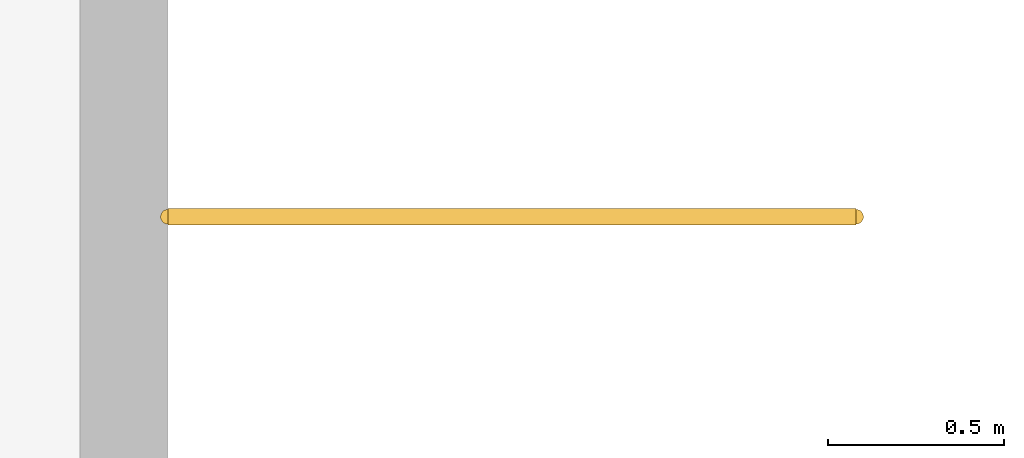
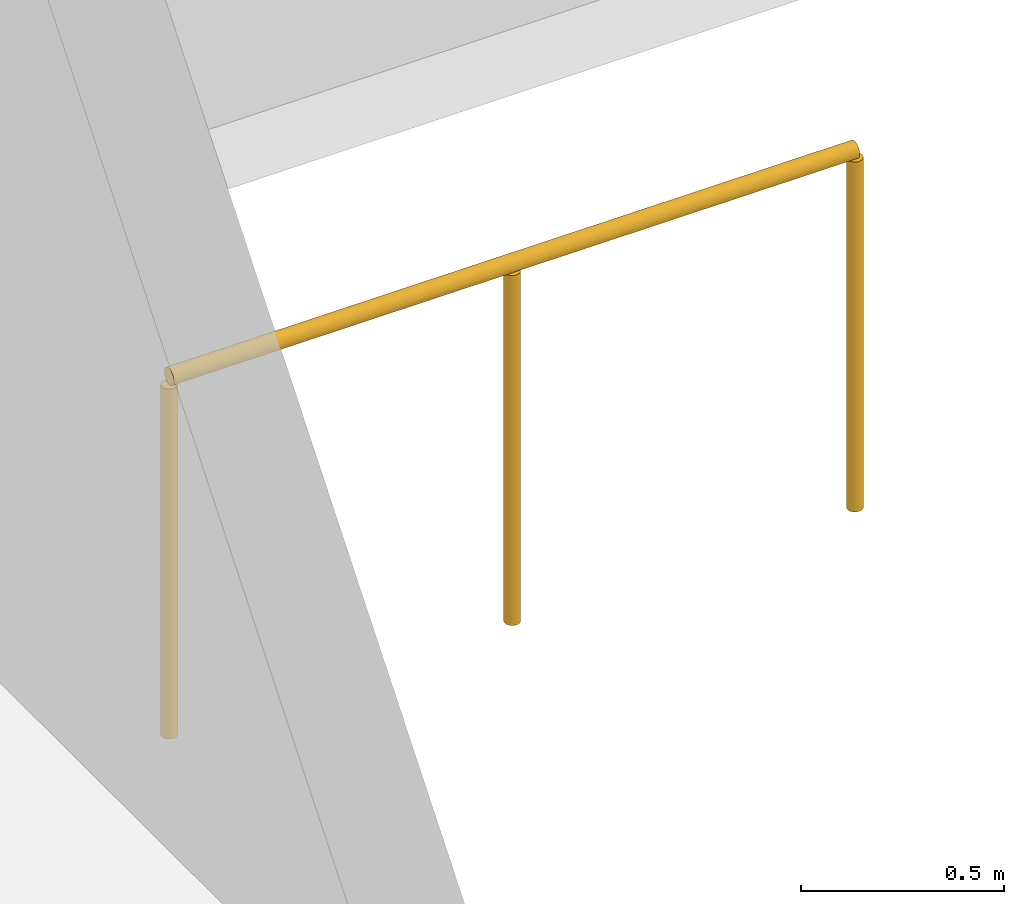
# One storey, part 18 of 18: 1 railing.
"""IFC4 building model written with IfcOpenShell, lengths in metres."""

import ifcopenshell
import ifcopenshell.guid

model = None  # the IFC model being written
_history = None  # IfcOwnerHistory: only IFC2X3 demands one
_inside = {}  # id of a spatial element -> (the spatial element, [elements in it])
_under = {}  # id of a project, library or spatial element -> (it, [spatial elements below it])
_declared = {}  # id of a project -> (the project, [libraries it declares])
_typed = {}  # id of a type object -> (the type object, [elements of that type])
_made_of = {}  # id of a material, layer set ... -> (it, [elements and type objects made of it])


def new_model(schema):
    """Start an empty IFC model of exactly this schema.

    Asked for "IFC4X3", IfcOpenShell would pick the latest addendum, in which some entities
    have other attributes; the version numbers below select the first issue.
    IFC2X3 requires an IfcOwnerHistory on every rooted entity: one is made here for all.
    """
    global model, _history
    if schema == "IFC4X3":
        model = ifcopenshell.file(schema_version=(4, 3, 0, 0))
    else:
        model = ifcopenshell.file(schema=schema)
    _inside.clear()
    _under.clear()
    _declared.clear()
    _typed.clear()
    _made_of.clear()
    _history = None
    if model.schema == "IFC2X3":
        org = make("IfcOrganization", Name="unknown")
        user = make(
            "IfcPersonAndOrganization",
            ThePerson=make("IfcPerson", FamilyName="unknown"),
            TheOrganization=org,
        )
        app = make(
            "IfcApplication",
            ApplicationDeveloper=org,
            Version="unknown",
            ApplicationFullName="unknown",
            ApplicationIdentifier="unknown",
        )
        _history = make(
            "IfcOwnerHistory",
            OwningUser=user,
            OwningApplication=app,
            ChangeAction="ADDED",
            CreationDate=0,
        )
    return model


def make(cls, **values):
    """One entity of the class cls with the attributes given. An attribute that is None is left unset."""
    return model.create_entity(
        cls, **{name: value for name, value in values.items() if value is not None}
    )


def rooted(cls, **values):
    """An entity with a GlobalId (a new one), such as an element, a storey or a relation."""
    return make(cls, GlobalId=ifcopenshell.guid.new(), OwnerHistory=_history, **values)


def si_unit(unit_type, name, prefix=None):
    """IfcSIUnit, for example si_unit("LENGTHUNIT", "METRE", prefix="MILLI")."""
    return make("IfcSIUnit", UnitType=unit_type, Prefix=prefix, Name=name)


def assignment(units):
    """IfcUnitAssignment: the units of a project."""
    return None if units is None else make("IfcUnitAssignment", Units=units)


def point(xyz):
    """IfcCartesianPoint."""
    return None if xyz is None else make("IfcCartesianPoint", Coordinates=xyz)


def direction(xyz):
    """IfcDirection."""
    return None if xyz is None else make("IfcDirection", DirectionRatios=xyz)


def frame(location, z_axis=None, x_axis=None):
    """IfcAxis2Placement3D, a coordinate frame: its origin and axes. An axis left out is left unset."""
    return make(
        "IfcAxis2Placement3D",
        Location=point(location),
        Axis=direction(z_axis),
        RefDirection=direction(x_axis),
    )


def frame_2d(location, x_axis=None):
    """IfcAxis2Placement2D, a coordinate frame in the plane: its origin and x axis."""
    return make(
        "IfcAxis2Placement2D", Location=point(location), RefDirection=direction(x_axis)
    )


def origin():
    """The frame at (0, 0, 0) with its axes left unset."""
    return frame((0.0, 0.0, 0.0))


def origin_2d():
    """The frame at (0, 0) in the plane with its x axis left unset."""
    return frame_2d((0.0, 0.0))


def place(relative_to, where):
    """IfcLocalPlacement: puts the frame where relative to a parent placement (None: the world)."""
    return make(
        "IfcLocalPlacement", PlacementRelTo=relative_to, RelativePlacement=where
    )


def context(
    kind, dimensions, precision=None, world=None, true_north=None, identifier=None
):
    """IfcGeometricRepresentationContext, for example the 3D "Model" context."""
    return make(
        "IfcGeometricRepresentationContext",
        ContextIdentifier=identifier,
        ContextType=kind,
        CoordinateSpaceDimension=dimensions,
        Precision=precision,
        WorldCoordinateSystem=world,
        TrueNorth=true_north,
    )


def subcontext(parent, identifier, kind, view, scale=None):
    """IfcGeometricRepresentationSubContext, for example "Body" below "Model"."""
    return make(
        "IfcGeometricRepresentationSubContext",
        ContextIdentifier=identifier,
        ContextType=kind,
        ParentContext=parent,
        TargetScale=scale,
        TargetView=view,
    )


def project(units=None, contexts=None):
    """IfcProject with its units and contexts."""
    return rooted(
        "IfcProject",
        Name="project",
        RepresentationContexts=contexts,
        UnitsInContext=assignment(units),
    )


def spatial(cls, under=None, at=None, **own):
    """A site, building, storey or space (cls), placed at a placement, below another one or the project."""
    s = rooted(cls, ObjectPlacement=at, **own)
    if under is not None:
        _under.setdefault(under.id(), (under, []))[1].append(s)
    return s


def profile(cls, at=None, kind="AREA", **sizes):
    """A parametric profile (cls). Its sizes go by their IFC names, for example OverallWidth=200.0."""
    return make(cls, ProfileType=kind, Position=at, **sizes)


def circle(**sizes):
    """IfcCircleProfileDef."""
    return profile("IfcCircleProfileDef", **sizes)


def extrude(swept, where, along, depth):
    """IfcExtrudedAreaSolid: the profile swept, set in the frame where, extruded along a direction by depth."""
    return make(
        "IfcExtrudedAreaSolid",
        SweptArea=swept,
        Position=where,
        ExtrudedDirection=direction(along),
        Depth=depth,
    )


def shape(context_of_items, identifier, shape_type, items):
    """IfcShapeRepresentation: the items that make up one representation, for example the "Body"."""
    return make(
        "IfcShapeRepresentation",
        ContextOfItems=context_of_items,
        RepresentationIdentifier=identifier,
        RepresentationType=shape_type,
        Items=items,
    )


def material(Name=None, Category=None):
    """IfcMaterial."""
    return make("IfcMaterial", Name=Name, Category=Category)


def made_of(thing, what):
    """Note that an element or type object is made of a material, layer set ...; save() writes the relation."""
    if what is not None:
        _made_of.setdefault(what.id(), (what, []))[1].append(thing)
    return thing


def type_object(cls, material=None, **own):
    """A type object (cls), such as IfcWallType, which elements share."""
    return made_of(rooted(cls, **own), material)


def element(
    cls,
    number,
    at=None,
    inside=None,
    cuts=None,
    type_object=None,
    material=None,
    context=None,
    identifier="Body",
    shape_type=None,
    held_by="IfcProductDefinitionShape",
    body=None,
    shapes=None,
    **own,
):
    """One element of the class cls, such as IfcWall. Its Tag is "e" and its number.

    at: its placement. inside: the storey or other place that contains it. cuts: it is an
    opening in that element (IfcRelVoidsElement). A single representation is given by context,
    identifier, shape_type and body (its items); several are given by shapes. held_by: the class
    of the entity that holds the representations. save() writes the other relations.
    """
    e = rooted(cls, Tag="e%d" % number, ObjectPlacement=at, **own)
    if body is not None:
        shapes = [shape(context, identifier, shape_type, body)]
    if shapes is not None:
        e.Representation = make(held_by, Representations=shapes)
    if inside is not None:
        _inside.setdefault(inside.id(), (inside, []))[1].append(e)
    if cuts is not None:
        rooted(
            "IfcRelVoidsElement", RelatingBuildingElement=cuts, RelatedOpeningElement=e
        )
    if type_object is not None:
        _typed.setdefault(type_object.id(), (type_object, []))[1].append(e)
    return made_of(e, material)


def aggregate(whole, parts):
    """IfcRelAggregates: a whole, such as a stair, and the parts it consists of."""
    return rooted("IfcRelAggregates", RelatingObject=whole, RelatedObjects=parts)


def save(model, path):
    """Write the relations noted so far, then the file.

    IfcRelAggregates (storeys below a building ...), IfcRelContainedInSpatialStructure (elements
    in a storey), IfcRelDefinesByType, IfcRelAssociatesMaterial and IfcRelDeclares: one each for
    every whole, place, type object, material and project.
    """
    for whole, parts in _under.values():
        aggregate(whole, parts)
    for where, things in _inside.values():
        rooted(
            "IfcRelContainedInSpatialStructure",
            RelatedElements=things,
            RelatingStructure=where,
        )
    for kind, things in _typed.values():
        rooted("IfcRelDefinesByType", RelatedObjects=things, RelatingType=kind)
    for what, things in _made_of.values():
        rooted("IfcRelAssociatesMaterial", RelatedObjects=things, RelatingMaterial=what)
    for by, libraries in _declared.values():
        rooted("IfcRelDeclares", RelatingContext=by, RelatedDefinitions=libraries)
    model.write(path)


model = new_model("IFC4")

# Units and contexts
model_context = context("Model", 3, precision=1e-05, world=origin(), true_north=direction((0.0, 1.0)))
body_context = subcontext(model_context, "Body", "Model", "MODEL_VIEW")
ifc_project = project(units=[si_unit("LENGTHUNIT", "METRE"), si_unit("AREAUNIT", "SQUARE_METRE"), si_unit("VOLUMEUNIT", "CUBIC_METRE"), si_unit("PLANEANGLEUNIT", "RADIAN"), si_unit("MASSUNIT", "GRAM", prefix="KILO")], contexts=[model_context])

# Site, building, storey
site_placement = place(None, origin())
site = spatial("IfcSite", under=ifc_project, at=site_placement, CompositionType="ELEMENT")
building_placement = place(site_placement, origin())
building = spatial("IfcBuilding", under=site, at=building_placement, Name="Isbrekke Arena Tower", CompositionType="ELEMENT")
storey_placement = place(building_placement, frame((0.0, 0.0, 12.0)))
storey = spatial("IfcBuildingStorey", under=building, at=storey_placement, Name="L02", CompositionType="ELEMENT", Elevation=12.0)

# Railing
ifc_material = material(Name="Steel stair guard, vertical bars, steel handrail", Category="steel")
railing_type = type_object("IfcRailingType", Name="GR3 STAIR WELL GUARD 1100", PredefinedType="GUARDRAIL", material=ifc_material)
railing_placement = place(storey_placement, frame((44.125, 35.675048828125, 0.0)))
element("IfcRailing", 1, at=railing_placement, inside=storey, type_object=railing_type, Name="GR3 stair well guard P1 L02", PredefinedType="GUARDRAIL", context=body_context, shape_type="SweptSolid", body=[
    extrude(circle(Radius=0.02392578125, at=origin_2d()), frame((0.0, 0.0, 1.076171875), z_axis=(1.0, 0.0, 0.0), x_axis=(0.0, 1.0, 0.0)), (0.0, 0.0, 1.0), 1.949951171875),
    extrude(circle(Radius=0.02099609375, at=origin_2d()), origin(), (0.0, 0.0, 1.0), 1.052001953125),
    extrude(circle(Radius=0.02099609375, at=origin_2d()), frame((0.97509765625, 0.0, 0.0)), (0.0, 0.0, 1.0), 1.052001953125),
    extrude(circle(Radius=0.02099609375, at=origin_2d()), frame((1.949951171875, 0.0, 0.0)), (0.0, 0.0, 1.0), 1.052001953125),
])

save(model, "model.ifc")
